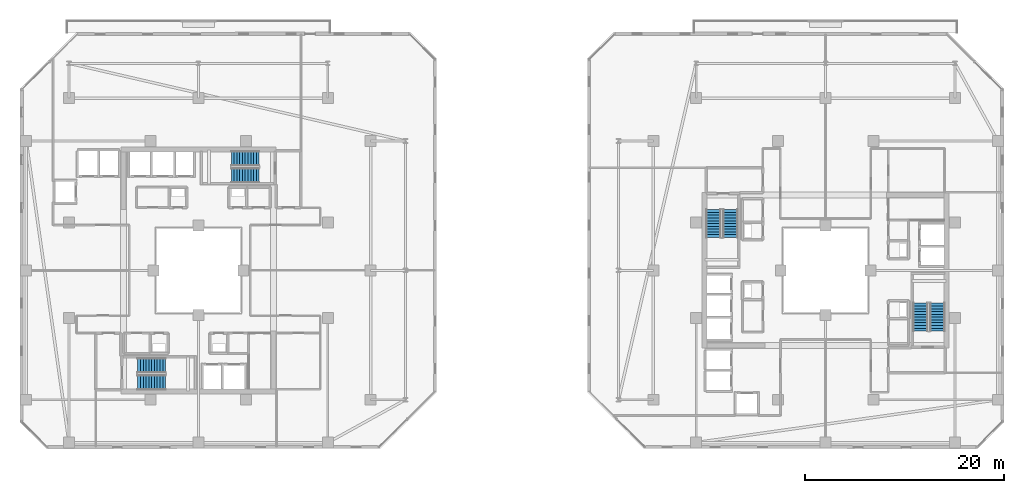
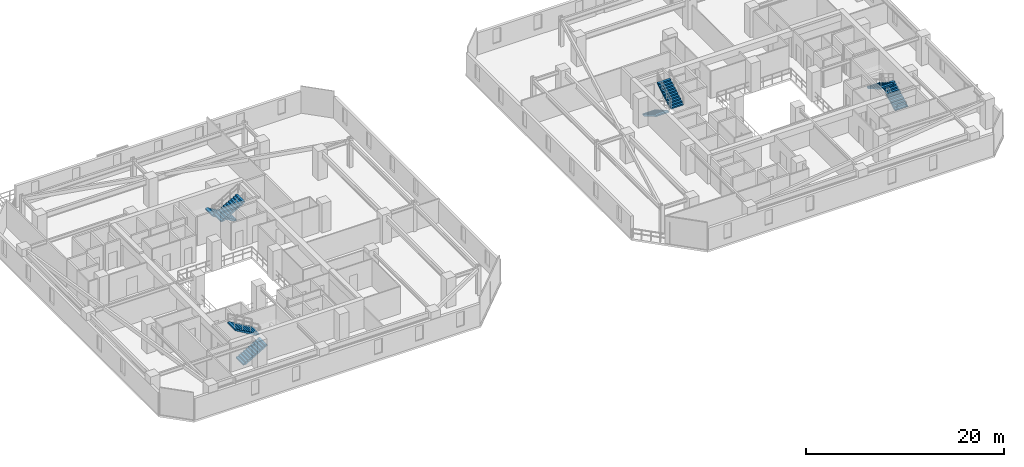
# One storey, part 26 of 32: 8 stair flights, 4 elements without a shape of their own.
"""IFC4 building model written with IfcOpenShell, lengths in metres."""

from ifc_helpers import new_model, si_unit, direction, frame, origin, place, context, subcontext, project, spatial, polyline, outline, extrude, material, type_object, element, aggregate, save


model = new_model("IFC4")

# Units and contexts
model_context = context("Model", 3, precision=1e-05, world=origin(), true_north=direction((0.0, 1.0)))
body_context = subcontext(model_context, "Body", "Model", "MODEL_VIEW")
ifc_project = project(units=[si_unit("LENGTHUNIT", "METRE"), si_unit("AREAUNIT", "SQUARE_METRE"), si_unit("VOLUMEUNIT", "CUBIC_METRE"), si_unit("PLANEANGLEUNIT", "RADIAN"), si_unit("MASSUNIT", "GRAM", prefix="KILO")], contexts=[model_context])

# Site, building, storey
site_placement = place(None, origin())
site = spatial("IfcSite", under=ifc_project, at=site_placement, CompositionType="ELEMENT")
building_placement = place(site_placement, origin())
building = spatial("IfcBuilding", under=site, at=building_placement, Name="Thornwick Lancets Civic Towers", CompositionType="ELEMENT")
storey_placement = place(building_placement, frame((0.0, 0.0, 182.10009765625)))
storey = spatial("IfcBuildingStorey", under=building, at=storey_placement, Name="L48", CompositionType="ELEMENT", Elevation=182.10009765625)

# Stair, stair flights
ifc_material = material(Name="Concrete C40/50", Category="concrete")
stair_type = type_object("IfcStairType", Name="STAIR_DL_3600", PredefinedType="HALF_TURN_STAIR", material=ifc_material)
stair_1_placement = place(storey_placement, origin())
stair_1 = element("IfcStair", 1, at=stair_1_placement, inside=storey, type_object=stair_type, Name="L48 Tower A South Exit Stair ST-A1", PredefinedType="HALF_TURN_STAIR")
stair_flight_type = type_object("IfcStairFlightType", Name="FLIGHT_3600", PredefinedType="STRAIGHT", material=ifc_material)
stair_flight_1_placement = place(storey_placement, frame((19.39990234375, 15.75, 0.0), z_axis=(0.0, 0.0, 1.0), x_axis=(1.0, 0.0, 0.0)))
stair_flight_1 = element("IfcStairFlight", 2, at=stair_flight_1_placement, type_object=stair_flight_type, Name="ST-A1 flight 1", NumberOfRisers=11, NumberOfTreads=10, PredefinedType="STRAIGHT", RiserHeight=0.163636364, TreadLength=0.28, context=body_context, shape_type="SweptSolid", body=[
    extrude(outline(polyline([(0.0, 0.0), (0.0, 0.16357421875), (0.280029296875, 0.16357421875), (0.280029296875, 0.327392578125), (0.56005859375, 0.327392578125), (0.56005859375, 0.490966796875), (0.840087890625, 0.490966796875), (0.840087890625, 0.654541015625), (1.1201171875, 0.654541015625), (1.1201171875, 0.818115234375), (1.39990234375, 0.818115234375), (1.39990234375, 0.98193359375), (1.679931640625, 0.98193359375), (1.679931640625, 1.1455078125), (1.9599609375, 1.1455078125), (1.9599609375, 1.30908203125), (2.239990234375, 1.30908203125), (2.239990234375, 1.47265625), (2.52001953125, 1.47265625), (2.52001953125, 1.636474609375), (2.800048828125, 1.636474609375), (2.800048828125, 1.800048828125), (2.800048828125, 1.462646484375), (0.297119140625, 0.0), (0.0, 0.0)])), frame((0.0, 0.75, 0.0), z_axis=(0.0, -1.0, 0.0), x_axis=(1.0, 0.0, 0.0)), (0.0, 0.0, 1.0), 1.5),
])
stair_flight_2_placement = place(storey_placement, frame((22.199951171875, 17.449951171875, 1.7998046875), z_axis=(0.0, 0.0, 1.0), x_axis=(-1.0, 0.0, 0.0)))
stair_flight_2 = element("IfcStairFlight", 3, at=stair_flight_2_placement, type_object=stair_flight_type, Name="ST-A1 flight 2", NumberOfRisers=11, NumberOfTreads=10, PredefinedType="STRAIGHT", RiserHeight=0.163636364, TreadLength=0.28, context=body_context, shape_type="SweptSolid", body=[
    extrude(outline(polyline([(0.0, 0.0), (0.0, 0.16357421875), (0.280029296875, 0.16357421875), (0.280029296875, 0.327392578125), (0.56005859375, 0.327392578125), (0.56005859375, 0.490966796875), (0.840087890625, 0.490966796875), (0.840087890625, 0.654541015625), (1.1201171875, 0.654541015625), (1.1201171875, 0.818115234375), (1.39990234375, 0.818115234375), (1.39990234375, 0.98193359375), (1.679931640625, 0.98193359375), (1.679931640625, 1.1455078125), (1.9599609375, 1.1455078125), (1.9599609375, 1.30908203125), (2.239990234375, 1.30908203125), (2.239990234375, 1.47265625), (2.52001953125, 1.47265625), (2.52001953125, 1.636474609375), (2.800048828125, 1.636474609375), (2.800048828125, 1.800048828125), (2.800048828125, 1.462646484375), (0.297119140625, 0.0), (0.0, 0.0)])), frame((0.0, 0.75, 0.0), z_axis=(0.0, -1.0, 0.0), x_axis=(1.0, 0.0, 0.0)), (0.0, 0.0, 1.0), 1.5),
])
aggregate(stair_1, [stair_flight_1, stair_flight_2])

stair_2_placement = place(storey_placement, origin())
stair_2 = element("IfcStair", 4, at=stair_2_placement, inside=storey, type_object=stair_type, Name="L48 Tower A North Exit Stair ST-A2", PredefinedType="HALF_TURN_STAIR")
stair_flight_3_placement = place(storey_placement, frame((31.60009765625, 38.25, 0.0), z_axis=(0.0, 0.0, 1.0), x_axis=(-1.0, 0.0, 0.0)))
stair_flight_3 = element("IfcStairFlight", 5, at=stair_flight_3_placement, type_object=stair_flight_type, Name="ST-A2 flight 1", NumberOfRisers=11, NumberOfTreads=10, PredefinedType="STRAIGHT", RiserHeight=0.163636364, TreadLength=0.28, context=body_context, shape_type="SweptSolid", body=[
    extrude(outline(polyline([(0.0, 0.0), (0.0, 0.16357421875), (0.280029296875, 0.16357421875), (0.280029296875, 0.327392578125), (0.56005859375, 0.327392578125), (0.56005859375, 0.490966796875), (0.840087890625, 0.490966796875), (0.840087890625, 0.654541015625), (1.1201171875, 0.654541015625), (1.1201171875, 0.818115234375), (1.39990234375, 0.818115234375), (1.39990234375, 0.98193359375), (1.679931640625, 0.98193359375), (1.679931640625, 1.1455078125), (1.9599609375, 1.1455078125), (1.9599609375, 1.30908203125), (2.239990234375, 1.30908203125), (2.239990234375, 1.47265625), (2.52001953125, 1.47265625), (2.52001953125, 1.636474609375), (2.800048828125, 1.636474609375), (2.800048828125, 1.800048828125), (2.800048828125, 1.462646484375), (0.297119140625, 0.0), (0.0, 0.0)])), frame((0.0, 0.75, 0.0), z_axis=(0.0, -1.0, 0.0), x_axis=(1.0, 0.0, 0.0)), (0.0, 0.0, 1.0), 1.5),
])
stair_flight_4_placement = place(storey_placement, frame((28.800048828125, 36.550048828125, 1.7998046875), z_axis=(0.0, 0.0, 1.0), x_axis=(1.0, 0.0, 0.0)))
stair_flight_4 = element("IfcStairFlight", 6, at=stair_flight_4_placement, type_object=stair_flight_type, Name="ST-A2 flight 2", NumberOfRisers=11, NumberOfTreads=10, PredefinedType="STRAIGHT", RiserHeight=0.163636364, TreadLength=0.28, context=body_context, shape_type="SweptSolid", body=[
    extrude(outline(polyline([(0.0, 0.0), (0.0, 0.16357421875), (0.280029296875, 0.16357421875), (0.280029296875, 0.327392578125), (0.56005859375, 0.327392578125), (0.56005859375, 0.490966796875), (0.840087890625, 0.490966796875), (0.840087890625, 0.654541015625), (1.1201171875, 0.654541015625), (1.1201171875, 0.818115234375), (1.39990234375, 0.818115234375), (1.39990234375, 0.98193359375), (1.679931640625, 0.98193359375), (1.679931640625, 1.1455078125), (1.9599609375, 1.1455078125), (1.9599609375, 1.30908203125), (2.239990234375, 1.30908203125), (2.239990234375, 1.47265625), (2.52001953125, 1.47265625), (2.52001953125, 1.636474609375), (2.800048828125, 1.636474609375), (2.800048828125, 1.800048828125), (2.800048828125, 1.462646484375), (0.297119140625, 0.0), (0.0, 0.0)])), frame((0.0, 0.75, 0.0), z_axis=(0.0, -1.0, 0.0), x_axis=(1.0, 0.0, 0.0)), (0.0, 0.0, 1.0), 1.5),
])
aggregate(stair_2, [stair_flight_3, stair_flight_4])

stair_3_placement = place(storey_placement, origin())
stair_3 = element("IfcStair", 7, at=stair_3_placement, inside=storey, type_object=stair_type, Name="L48 Tower B East Exit Stair ST-B1", PredefinedType="HALF_TURN_STAIR")
stair_flight_5_placement = place(storey_placement, frame((99.75, 20.89990234375, 0.0), z_axis=(0.0, 0.0, 1.0), x_axis=(0.0, 1.0, 0.0)))
stair_flight_5 = element("IfcStairFlight", 8, at=stair_flight_5_placement, type_object=stair_flight_type, Name="ST-B1 flight 1", NumberOfRisers=11, NumberOfTreads=10, PredefinedType="STRAIGHT", RiserHeight=0.163636364, TreadLength=0.28, context=body_context, shape_type="SweptSolid", body=[
    extrude(outline(polyline([(0.0, 0.0), (0.0, 0.16357421875), (0.280029296875, 0.16357421875), (0.280029296875, 0.327392578125), (0.56005859375, 0.327392578125), (0.56005859375, 0.490966796875), (0.840087890625, 0.490966796875), (0.840087890625, 0.654541015625), (1.1201171875, 0.654541015625), (1.1201171875, 0.818115234375), (1.39990234375, 0.818115234375), (1.39990234375, 0.98193359375), (1.679931640625, 0.98193359375), (1.679931640625, 1.1455078125), (1.9599609375, 1.1455078125), (1.9599609375, 1.30908203125), (2.239990234375, 1.30908203125), (2.239990234375, 1.47265625), (2.52001953125, 1.47265625), (2.52001953125, 1.636474609375), (2.800048828125, 1.636474609375), (2.800048828125, 1.800048828125), (2.800048828125, 1.462646484375), (0.297119140625, 0.0), (0.0, 0.0)])), frame((0.0, 0.75, 0.0), z_axis=(0.0, -1.0, 0.0), x_axis=(1.0, 0.0, 0.0)), (0.0, 0.0, 1.0), 1.5),
])
stair_flight_6_placement = place(storey_placement, frame((98.050048828125, 23.699951171875, 1.7998046875), z_axis=(0.0, 0.0, 1.0), x_axis=(0.0, -1.0, 0.0)))
stair_flight_6 = element("IfcStairFlight", 9, at=stair_flight_6_placement, type_object=stair_flight_type, Name="ST-B1 flight 2", NumberOfRisers=11, NumberOfTreads=10, PredefinedType="STRAIGHT", RiserHeight=0.163636364, TreadLength=0.28, context=body_context, shape_type="SweptSolid", body=[
    extrude(outline(polyline([(0.0, 0.0), (0.0, 0.16357421875), (0.280029296875, 0.16357421875), (0.280029296875, 0.327392578125), (0.56005859375, 0.327392578125), (0.56005859375, 0.490966796875), (0.840087890625, 0.490966796875), (0.840087890625, 0.654541015625), (1.1201171875, 0.654541015625), (1.1201171875, 0.818115234375), (1.39990234375, 0.818115234375), (1.39990234375, 0.98193359375), (1.679931640625, 0.98193359375), (1.679931640625, 1.1455078125), (1.9599609375, 1.1455078125), (1.9599609375, 1.30908203125), (2.239990234375, 1.30908203125), (2.239990234375, 1.47265625), (2.52001953125, 1.47265625), (2.52001953125, 1.636474609375), (2.800048828125, 1.636474609375), (2.800048828125, 1.800048828125), (2.800048828125, 1.462646484375), (0.297119140625, 0.0), (0.0, 0.0)])), frame((0.0, 0.75, 0.0), z_axis=(0.0, -1.0, 0.0), x_axis=(1.0, 0.0, 0.0)), (0.0, 0.0, 1.0), 1.5),
])
aggregate(stair_3, [stair_flight_5, stair_flight_6])

stair_4_placement = place(storey_placement, origin())
stair_4 = element("IfcStair", 10, at=stair_4_placement, inside=storey, type_object=stair_type, Name="L48 Tower B West Exit Stair ST-B2", PredefinedType="HALF_TURN_STAIR")
stair_flight_7_placement = place(storey_placement, frame((77.25, 33.10009765625, 0.0), z_axis=(0.0, 0.0, 1.0), x_axis=(0.0, -1.0, 0.0)))
stair_flight_7 = element("IfcStairFlight", 11, at=stair_flight_7_placement, type_object=stair_flight_type, Name="ST-B2 flight 1", NumberOfRisers=11, NumberOfTreads=10, PredefinedType="STRAIGHT", RiserHeight=0.163636364, TreadLength=0.28, context=body_context, shape_type="SweptSolid", body=[
    extrude(outline(polyline([(0.0, 0.0), (0.0, 0.16357421875), (0.280029296875, 0.16357421875), (0.280029296875, 0.327392578125), (0.56005859375, 0.327392578125), (0.56005859375, 0.490966796875), (0.840087890625, 0.490966796875), (0.840087890625, 0.654541015625), (1.1201171875, 0.654541015625), (1.1201171875, 0.818115234375), (1.39990234375, 0.818115234375), (1.39990234375, 0.98193359375), (1.679931640625, 0.98193359375), (1.679931640625, 1.1455078125), (1.9599609375, 1.1455078125), (1.9599609375, 1.30908203125), (2.239990234375, 1.30908203125), (2.239990234375, 1.47265625), (2.52001953125, 1.47265625), (2.52001953125, 1.636474609375), (2.800048828125, 1.636474609375), (2.800048828125, 1.800048828125), (2.800048828125, 1.462646484375), (0.297119140625, 0.0), (0.0, 0.0)])), frame((0.0, 0.75, 0.0), z_axis=(0.0, -1.0, 0.0), x_axis=(1.0, 0.0, 0.0)), (0.0, 0.0, 1.0), 1.5),
])
stair_flight_8_placement = place(storey_placement, frame((78.949951171875, 30.300048828125, 1.7998046875), z_axis=(0.0, 0.0, 1.0), x_axis=(0.0, 1.0, 0.0)))
stair_flight_8 = element("IfcStairFlight", 12, at=stair_flight_8_placement, type_object=stair_flight_type, Name="ST-B2 flight 2", NumberOfRisers=11, NumberOfTreads=10, PredefinedType="STRAIGHT", RiserHeight=0.163636364, TreadLength=0.28, context=body_context, shape_type="SweptSolid", body=[
    extrude(outline(polyline([(0.0, 0.0), (0.0, 0.16357421875), (0.280029296875, 0.16357421875), (0.280029296875, 0.327392578125), (0.56005859375, 0.327392578125), (0.56005859375, 0.490966796875), (0.840087890625, 0.490966796875), (0.840087890625, 0.654541015625), (1.1201171875, 0.654541015625), (1.1201171875, 0.818115234375), (1.39990234375, 0.818115234375), (1.39990234375, 0.98193359375), (1.679931640625, 0.98193359375), (1.679931640625, 1.1455078125), (1.9599609375, 1.1455078125), (1.9599609375, 1.30908203125), (2.239990234375, 1.30908203125), (2.239990234375, 1.47265625), (2.52001953125, 1.47265625), (2.52001953125, 1.636474609375), (2.800048828125, 1.636474609375), (2.800048828125, 1.800048828125), (2.800048828125, 1.462646484375), (0.297119140625, 0.0), (0.0, 0.0)])), frame((0.0, 0.75, 0.0), z_axis=(0.0, -1.0, 0.0), x_axis=(1.0, 0.0, 0.0)), (0.0, 0.0, 1.0), 1.5),
])
aggregate(stair_4, [stair_flight_7, stair_flight_8])

save(model, "model.ifc")
